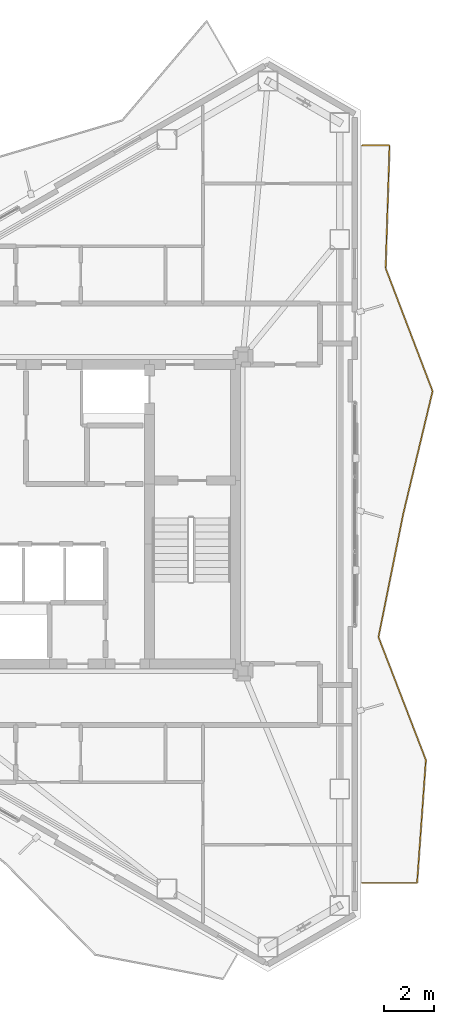
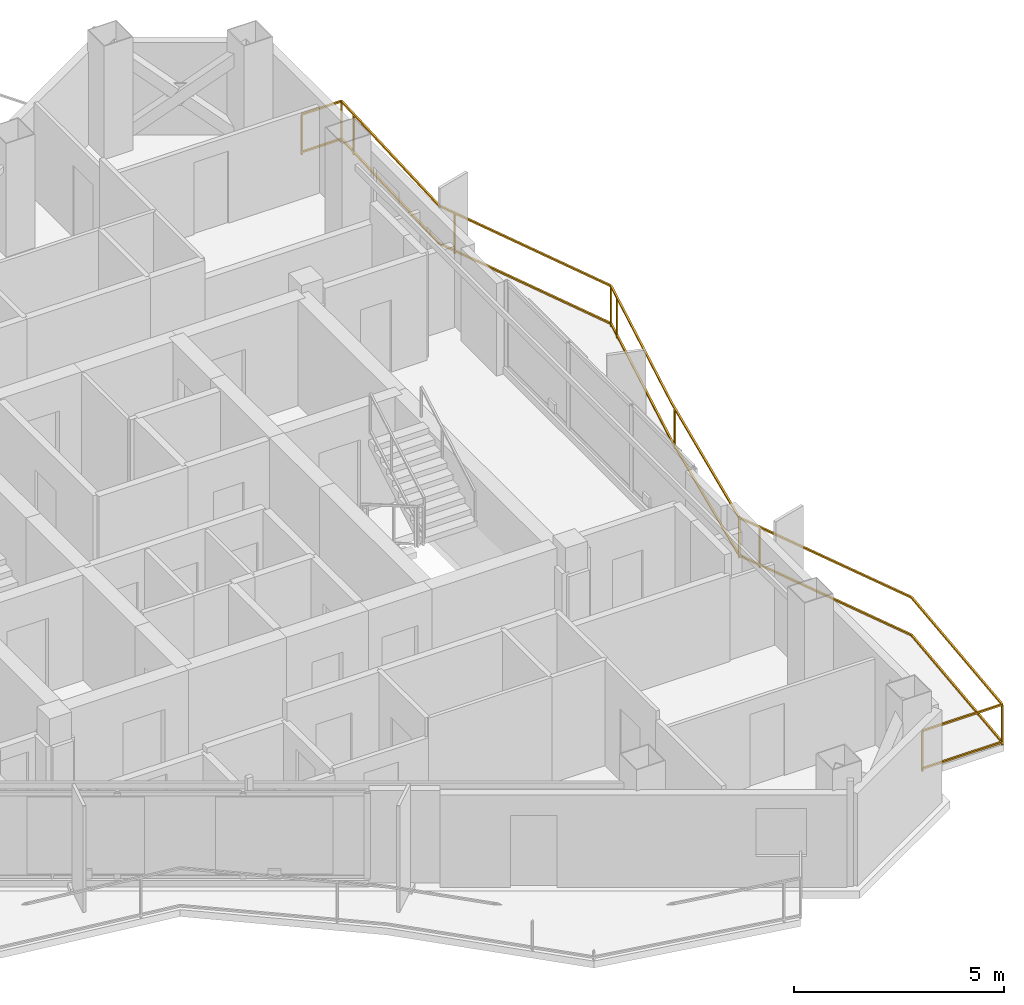
# One storey, part 22 of 22: 1 railing.
"""IFC4 building model written with IfcOpenShell, lengths in metres."""

from ifc_helpers import new_model, si_unit, direction, frame, origin, origin_2d, place, context, subcontext, project, spatial, rectangle, extrude, material, type_object, element, save


model = new_model("IFC4")

# Units and contexts
model_context = context("Model", 3, precision=1e-05, world=origin(), true_north=direction((0.0, 1.0)))
body_context = subcontext(model_context, "Body", "Model", "MODEL_VIEW")
ifc_project = project(units=[si_unit("LENGTHUNIT", "METRE"), si_unit("AREAUNIT", "SQUARE_METRE"), si_unit("VOLUMEUNIT", "CUBIC_METRE"), si_unit("PLANEANGLEUNIT", "RADIAN"), si_unit("MASSUNIT", "GRAM", prefix="KILO")], contexts=[model_context])

# Site, building, storey
site_placement = place(None, origin())
site = spatial("IfcSite", under=ifc_project, at=site_placement, CompositionType="ELEMENT")
building_placement = place(site_placement, origin())
building = spatial("IfcBuilding", under=site, at=building_placement, Name="Mersakhor Tower and Convention Hall", CompositionType="ELEMENT")
storey_placement = place(building_placement, frame((0.0, 0.0, 208.5)))
storey = spatial("IfcBuildingStorey", under=building, at=storey_placement, Name="L58", CompositionType="ELEMENT", Elevation=208.5)

# Railing
ifc_material = material(Name="Powder-coated galvanised steel and laminated glass balustrade", Category="steel")
railing_type = type_object("IfcRailingType", Name="RL-BAL-1200", PredefinedType="BALUSTRADE", material=ifc_material)
railing_placement = place(storey_placement, frame((40.888427734375, 11.957275390625, 0.0)))
element("IfcRailing", 1, at=railing_placement, inside=storey, type_object=railing_type, Name="L58 Sinusoidal Balcony Balustrade F2", PredefinedType="BALUSTRADE", context=body_context, shape_type="SweptSolid", body=[
    extrude(rectangle(XDim=0.048095703125, YDim=0.048095703125, at=origin_2d()), frame((0.0, 0.0, 1.17578125), z_axis=(1.0, 0.0, 0.0), x_axis=(0.0, 1.0, 0.0)), (0.0, 0.0, 1.0), 2.198486328125),
    extrude(rectangle(XDim=0.048095703125, YDim=0.048095703125, at=origin_2d()), frame((0.0, 0.0, 0.080078125), z_axis=(1.0, 0.0, 0.0), x_axis=(0.0, 1.0, 0.0)), (0.0, 0.0, 1.0), 2.198486328125),
    extrude(rectangle(XDim=0.048095703125, YDim=0.048095703125, at=origin_2d()), frame((2.198486328125, 0.0, 1.17578125), z_axis=(0.071412002914, 0.99744690377, 0.0), x_axis=(-0.99744690377, 0.071412002914, 0.0)), (0.0, 0.0, 1.0), 4.943603515625),
    extrude(rectangle(XDim=0.048095703125, YDim=0.048095703125, at=origin_2d()), frame((2.198486328125, 0.0, 0.080078125), z_axis=(0.071412002914, 0.99744690377, 0.0), x_axis=(-0.99744690377, 0.071412002914, 0.0)), (0.0, 0.0, 1.0), 4.943603515625),
    extrude(rectangle(XDim=0.048095703125, YDim=0.048095703125, at=origin_2d()), frame((2.551513671875, 4.930908203125, 1.17578125), z_axis=(-0.359820939365, 0.933021377887, 0.0), x_axis=(-0.933021377887, -0.359820939365, 0.0)), (0.0, 0.0, 1.0), 5.284912109375),
    extrude(rectangle(XDim=0.048095703125, YDim=0.048095703125, at=origin_2d()), frame((2.551513671875, 4.930908203125, 0.080078125), z_axis=(-0.359820939365, 0.933021377887, 0.0), x_axis=(-0.933021377887, -0.359820939365, 0.0)), (0.0, 0.0, 1.0), 5.284912109375),
    extrude(rectangle(XDim=0.048095703125, YDim=0.048095703125, at=origin_2d()), frame((0.64990234375, 9.86181640625, 1.17578125), z_axis=(0.196890896799, 0.980425404994, 0.0), x_axis=(-0.980425404994, 0.196890896799, 0.0)), (0.0, 0.0, 1.0), 5.029296875),
    extrude(rectangle(XDim=0.048095703125, YDim=0.048095703125, at=origin_2d()), frame((0.64990234375, 9.86181640625, 0.080078125), z_axis=(0.196890896799, 0.980425404994, 0.0), x_axis=(-0.980425404994, 0.196890896799, 0.0)), (0.0, 0.0, 1.0), 5.029296875),
    extrude(rectangle(XDim=0.048095703125, YDim=0.048095703125, at=origin_2d()), frame((1.64013671875, 14.792724609375, 1.17578125), z_axis=(0.23272272755, 0.972543126078, 0.0), x_axis=(-0.972543126078, 0.23272272755, 0.0)), (0.0, 0.0, 1.0), 5.070068359375),
    extrude(rectangle(XDim=0.048095703125, YDim=0.048095703125, at=origin_2d()), frame((1.64013671875, 14.792724609375, 0.080078125), z_axis=(0.23272272755, 0.972543126078, 0.0), x_axis=(-0.972543126078, 0.23272272755, 0.0)), (0.0, 0.0, 1.0), 5.070068359375),
    extrude(rectangle(XDim=0.048095703125, YDim=0.048095703125, at=origin_2d()), frame((2.820068359375, 19.7236328125, 1.17578125), z_axis=(-0.356678077315, 0.934227354108, 0.0), x_axis=(-0.934227354108, -0.356678077315, 0.0)), (0.0, 0.0, 1.0), 5.278076171875),
    extrude(rectangle(XDim=0.048095703125, YDim=0.048095703125, at=origin_2d()), frame((2.820068359375, 19.7236328125, 0.080078125), z_axis=(-0.356678077315, 0.934227354108, 0.0), x_axis=(-0.934227354108, -0.356678077315, 0.0)), (0.0, 0.0, 1.0), 5.278076171875),
    extrude(rectangle(XDim=0.048095703125, YDim=0.048095703125, at=origin_2d()), frame((0.9375, 24.654541015625, 1.17578125), z_axis=(0.031919163372, 0.999490453686, 0.0), x_axis=(-0.999490453686, 0.031919163372, 0.0)), (0.0, 0.0, 1.0), 4.933349609375),
    extrude(rectangle(XDim=0.048095703125, YDim=0.048095703125, at=origin_2d()), frame((0.9375, 24.654541015625, 0.080078125), z_axis=(0.031919163372, 0.999490453686, 0.0), x_axis=(-0.999490453686, 0.031919163372, 0.0)), (0.0, 0.0, 1.0), 4.933349609375),
    extrude(rectangle(XDim=0.048095703125, YDim=0.048095703125, at=origin_2d()), frame((1.094970703125, 29.58544921875, 1.17578125), z_axis=(-1.0, 0.0, 0.0), x_axis=(0.0, -1.0, 0.0)), (0.0, 0.0, 1.0), 1.094970703125),
    extrude(rectangle(XDim=0.048095703125, YDim=0.048095703125, at=origin_2d()), frame((1.094970703125, 29.58544921875, 0.080078125), z_axis=(-1.0, 0.0, 0.0), x_axis=(0.0, -1.0, 0.0)), (0.0, 0.0, 1.0), 1.094970703125),
    extrude(rectangle(XDim=0.0419921875, YDim=0.0419921875, at=origin_2d()), origin(), (0.0, 0.0, 1.0), 1.15185546875),
    extrude(rectangle(XDim=0.0419921875, YDim=0.0419921875, at=origin_2d()), frame((2.198486328125, 0.0, 0.0)), (0.0, 0.0, 1.0), 1.15185546875),
    extrude(rectangle(XDim=0.0419921875, YDim=0.0419921875, at=origin_2d()), frame((0.8759765625, 9.275390625, 0.0)), (0.0, 0.0, 1.0), 1.15185546875),
    extrude(rectangle(XDim=0.0419921875, YDim=0.0419921875, at=origin_2d()), frame((0.64990234375, 9.86181640625, 0.0)), (0.0, 0.0, 1.0), 1.15185546875),
    extrude(rectangle(XDim=0.0419921875, YDim=0.0419921875, at=origin_2d()), frame((1.594970703125, 14.56787109375, 0.0)), (0.0, 0.0, 1.0), 1.15185546875),
    extrude(rectangle(XDim=0.0419921875, YDim=0.0419921875, at=origin_2d()), frame((2.703857421875, 19.23779296875, 0.0)), (0.0, 0.0, 1.0), 1.15185546875),
    extrude(rectangle(XDim=0.0419921875, YDim=0.0419921875, at=origin_2d()), frame((2.820068359375, 19.7236328125, 0.0)), (0.0, 0.0, 1.0), 1.15185546875),
    extrude(rectangle(XDim=0.0419921875, YDim=0.0419921875, at=origin_2d()), frame((1.10791015625, 24.2080078125, 0.0)), (0.0, 0.0, 1.0), 1.15185546875),
    extrude(rectangle(XDim=0.0419921875, YDim=0.0419921875, at=origin_2d()), frame((1.075439453125, 28.974365234375, 0.0)), (0.0, 0.0, 1.0), 1.15185546875),
    extrude(rectangle(XDim=0.0419921875, YDim=0.0419921875, at=origin_2d()), frame((1.094970703125, 29.58544921875, 0.0)), (0.0, 0.0, 1.0), 1.15185546875),
    extrude(rectangle(XDim=0.0419921875, YDim=0.0419921875, at=origin_2d()), frame((0.0, 29.58544921875, 0.0)), (0.0, 0.0, 1.0), 1.15185546875),
])

save(model, "model.ifc")
